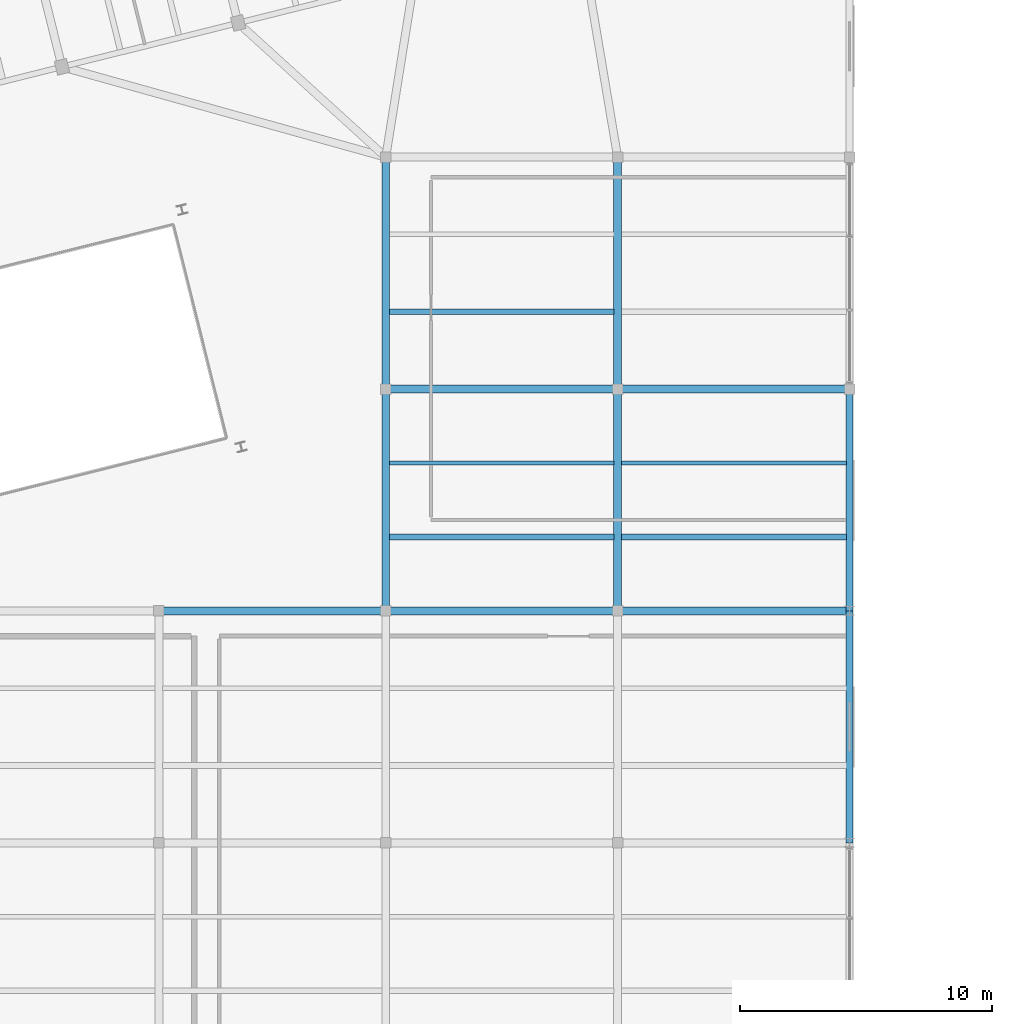
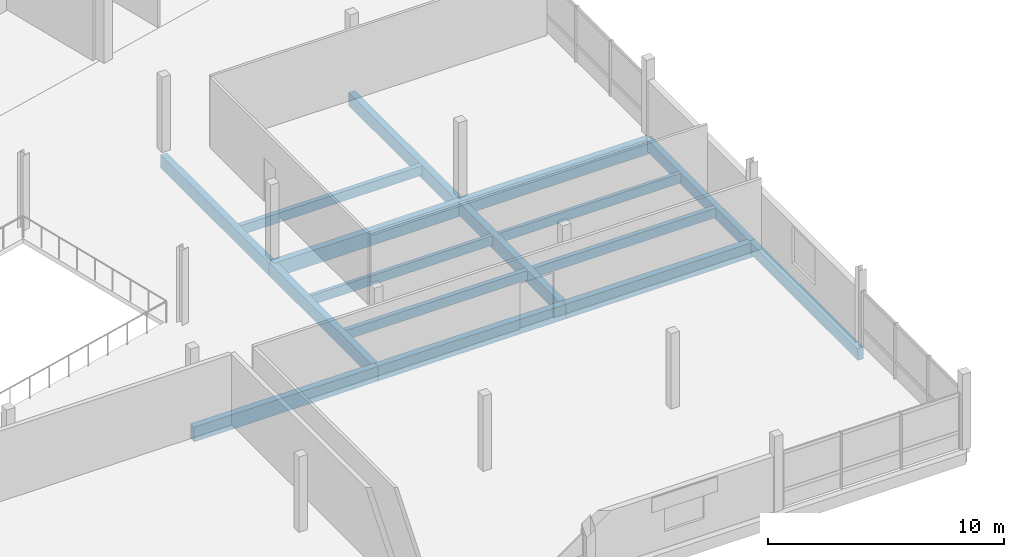
# One storey, part 14 of 47: 16 beams.
"""IFC4 building model written with IfcOpenShell, lengths in metres."""

from ifc_helpers import new_model, si_unit, direction, frame, origin, origin_2d, place, context, subcontext, project, spatial, rectangle, extrude, material, material_profile, profile_set, type_object, element, save


model = new_model("IFC4")

# Units and contexts
model_context = context("Model", 3, precision=1e-05, world=origin(), true_north=direction((0.0, 1.0)))
body_context = subcontext(model_context, "Body", "Model", "MODEL_VIEW")
ifc_project = project(units=[si_unit("LENGTHUNIT", "METRE"), si_unit("AREAUNIT", "SQUARE_METRE"), si_unit("VOLUMEUNIT", "CUBIC_METRE"), si_unit("PLANEANGLEUNIT", "RADIAN"), si_unit("MASSUNIT", "GRAM", prefix="KILO")], contexts=[model_context])

# Site, building, storey
site_placement = place(None, origin())
site = spatial("IfcSite", under=ifc_project, at=site_placement, CompositionType="ELEMENT")
building_placement = place(site_placement, origin())
building = spatial("IfcBuilding", under=site, at=building_placement, Name="Meriwether Solvik Hall", CompositionType="ELEMENT")
storey_placement = place(building_placement, frame((0.0, 0.0, 18.300048828125)))
storey = spatial("IfcBuildingStorey", under=building, at=storey_placement, Name="L04", CompositionType="ELEMENT", Elevation=18.300048828125)

# Beams
ifc_material_1 = material(Name="Glulam Douglas-Fir 24F-V8 GL28h", Category="wood")
ifc_material_profile_1 = material_profile(ifc_material_1, rectangle(XDim=0.27294921875, YDim=0.610107421875, at=origin_2d()), Name="GLB-273X610")
ifc_profile_set_1 = profile_set([ifc_material_profile_1], Name="Glulam Douglas-Fir 24F-V8 GL28h")
beam_type_1 = type_object("IfcBeamType", Name="BM-GL-273X610", PredefinedType="SPANDREL", material=ifc_profile_set_1)
beam_1_placement = place(storey_placement, frame((114.199951171875, 14.0, -0.550048828125), z_axis=(0.0, 1.0, 0.0), x_axis=(-1.0, 0.0, 0.0)))
element("IfcBeam", 1, at=beam_1_placement, inside=storey, type_object=beam_type_1, Name="Podium Girder 13:B-C (L04)", PredefinedType="SPANDREL", context=body_context, shape_type="SweptSolid", body=[
    extrude(rectangle(XDim=0.27294921875, YDim=0.610107421875, at=origin_2d()), origin(), (0.0, 0.0, 1.0), 9.199951171875),
])
beam_2_placement = place(storey_placement, frame((114.199951171875, 23.199951171875, -0.550048828125), z_axis=(0.0, 1.0, 0.0), x_axis=(-1.0, 0.0, 0.0)))
element("IfcBeam", 2, at=beam_2_placement, inside=storey, type_object=beam_type_1, Name="Podium Girder 13:C-D (L04)", PredefinedType="SPANDREL", context=body_context, shape_type="SweptSolid", body=[
    extrude(rectangle(XDim=0.27294921875, YDim=0.610107421875, at=origin_2d()), origin(), (0.0, 0.0, 1.0), 8.800048828125),
])
ifc_material_2 = material(Name="Glulam Douglas-Fir 24F-V8 GL28h", Category="wood")
ifc_material_profile_2 = material_profile(ifc_material_2, rectangle(XDim=0.31494140625, YDim=0.68505859375, at=origin_2d()), Name="GLB-315X685")
ifc_profile_set_2 = profile_set([ifc_material_profile_2], Name="Glulam Douglas-Fir 24F-V8 GL28h")
beam_type_2 = type_object("IfcBeamType", Name="BM-GL-315X685", PredefinedType="BEAM", material=ifc_profile_set_2)
beam_3_placement = place(storey_placement, frame((95.800048828125, 23.199951171875, -0.587646484375), z_axis=(0.0, 1.0, 0.0), x_axis=(-1.0, 0.0, 0.0)))
element("IfcBeam", 3, at=beam_3_placement, inside=storey, type_object=beam_type_2, Name="Podium Girder 11:C-D (L04)", PredefinedType="BEAM", context=body_context, shape_type="SweptSolid", body=[
    extrude(rectangle(XDim=0.31494140625, YDim=0.68505859375, at=origin_2d()), origin(), (0.0, 0.0, 1.0), 8.800048828125),
])
beam_4_placement = place(storey_placement, frame((95.800048828125, 32.0, -0.587646484375), z_axis=(0.0, 1.0, 0.0), x_axis=(-1.0, 0.0, 0.0)))
element("IfcBeam", 4, at=beam_4_placement, inside=storey, type_object=beam_type_2, Name="Podium Girder 11:D-E (L04)", PredefinedType="BEAM", context=body_context, shape_type="SweptSolid", body=[
    extrude(rectangle(XDim=0.31494140625, YDim=0.68505859375, at=origin_2d()), origin(), (0.0, 0.0, 1.0), 9.199951171875),
])
beam_5_placement = place(storey_placement, frame((105.0, 23.199951171875, -0.587646484375), z_axis=(0.0, 1.0, 0.0), x_axis=(-1.0, 0.0, 0.0)))
element("IfcBeam", 5, at=beam_5_placement, inside=storey, type_object=beam_type_2, Name="Podium Girder 12:C-D (L04)", PredefinedType="BEAM", context=body_context, shape_type="SweptSolid", body=[
    extrude(rectangle(XDim=0.31494140625, YDim=0.68505859375, at=origin_2d()), origin(), (0.0, 0.0, 1.0), 8.800048828125),
])
beam_6_placement = place(storey_placement, frame((105.0, 32.0, -0.587646484375), z_axis=(0.0, 1.0, 0.0), x_axis=(-1.0, 0.0, 0.0)))
element("IfcBeam", 6, at=beam_6_placement, inside=storey, type_object=beam_type_2, Name="Podium Girder 12:D-E (L04)", PredefinedType="BEAM", context=body_context, shape_type="SweptSolid", body=[
    extrude(rectangle(XDim=0.31494140625, YDim=0.68505859375, at=origin_2d()), origin(), (0.0, 0.0, 1.0), 9.199951171875),
])
ifc_material_3 = material(Name="Glulam Douglas-Fir 24F-V8 GL28h", Category="wood")
ifc_material_profile_3 = material_profile(ifc_material_3, rectangle(XDim=0.31494140625, YDim=0.760009765625, at=origin_2d()), Name="GLB-315X760")
ifc_profile_set_3 = profile_set([ifc_material_profile_3], Name="Glulam Douglas-Fir 24F-V8 GL28h")
beam_type_3 = type_object("IfcBeamType", Name="BM-GL-315X760", PredefinedType="BEAM", material=ifc_profile_set_3)
beam_7_placement = place(storey_placement, frame((86.800048828125, 23.199951171875, -0.625), z_axis=(1.0, 0.0, 0.0), x_axis=(0.0, 1.0, 0.0)))
element("IfcBeam", 7, at=beam_7_placement, inside=storey, type_object=beam_type_3, Name="Podium Girder C:10-11 (L04)", PredefinedType="BEAM", context=body_context, shape_type="SweptSolid", body=[
    extrude(rectangle(XDim=0.31494140625, YDim=0.760009765625, at=origin_2d()), origin(), (0.0, 0.0, 1.0), 9.0),
])
for number, where, z_axis, x_axis, name in (
    (8, (95.800048828125, 23.199951171875, -0.625), (1.0, 0.0, 0.0), (0.0, 1.0, 0.0), "Podium Girder C:11-12 (L04)"),
    (9, (105.0, 23.199951171875, -0.625), (1.0, 0.0, 0.0), (0.0, 1.0, 0.0), "Podium Girder C:12-13 (L04)"),
    (10, (95.800048828125, 32.0, -0.625), (1.0, 0.0, 0.0), (0.0, 1.0, 0.0), "Podium Girder D:11-12 (L04)"),
    (11, (105.0, 32.0, -0.625), (1.0, 0.0, 0.0), (0.0, 1.0, 0.0), "Podium Girder D:12-13 (L04)"),
):
    element("IfcBeam", number, at=place(storey_placement, frame(where, z_axis=z_axis, x_axis=x_axis)), inside=storey, type_object=beam_type_3, Name=name, PredefinedType="BEAM", context=body_context, shape_type="SweptSolid", body=[
        extrude(rectangle(XDim=0.31494140625, YDim=0.760009765625, at=origin_2d()), origin(), (0.0, 0.0, 1.0), 9.199951171875),
    ])
ifc_material_4 = material(Name="Glulam Douglas-Fir 24F-V8 GL28h", Category="wood")
ifc_material_profile_4 = material_profile(ifc_material_4, rectangle(XDim=0.175048828125, YDim=0.4951171875, at=origin_2d()), Name="GLJ-175X495")
ifc_profile_set_4 = profile_set([ifc_material_profile_4], Name="Glulam Douglas-Fir 24F-V8 GL28h")
beam_type_4 = type_object("IfcBeamType", Name="JST-GL-175X495", PredefinedType="JOIST", material=ifc_profile_set_4)
beam_8_placement = place(storey_placement, frame((95.952392578125, 29.066650390625, -0.492431640625), z_axis=(1.0, 0.0, 0.0), x_axis=(0.0, 1.0, 0.0)))
element("IfcBeam", 12, at=beam_8_placement, inside=storey, type_object=beam_type_4, Name="Secondary Floor Joist 11/C_J2 (L04)", PredefinedType="JOIST", context=body_context, shape_type="SweptSolid", body=[
    extrude(rectangle(XDim=0.175048828125, YDim=0.4951171875, at=origin_2d()), origin(), (0.0, 0.0, 1.0), 8.89501953125),
])
beam_9_placement = place(storey_placement, frame((105.152587890625, 29.066650390625, -0.492431640625), z_axis=(1.0, 0.0, 0.0), x_axis=(0.0, 1.0, 0.0)))
element("IfcBeam", 13, at=beam_9_placement, inside=storey, type_object=beam_type_4, Name="Secondary Floor Joist 12/C_J2 (L04)", PredefinedType="JOIST", context=body_context, shape_type="SweptSolid", body=[
    extrude(rectangle(XDim=0.175048828125, YDim=0.4951171875, at=origin_2d()), origin(), (0.0, 0.0, 1.0), 8.916015625),
])
ifc_material_5 = material(Name="Glulam Douglas-Fir 24F-V8 GL28h", Category="wood")
ifc_material_profile_5 = material_profile(ifc_material_5, rectangle(XDim=0.221923828125, YDim=0.4951171875, at=origin_2d()), Name="GLJ-222X495")
ifc_profile_set_5 = profile_set([ifc_material_profile_5], Name="Glulam Douglas-Fir 24F-V8 GL28h")
beam_type_5 = type_object("IfcBeamType", Name="JST-GL-222X495", PredefinedType="JOIST", material=ifc_profile_set_5)
for number, where, z_axis, x_axis, name in (
    (14, (95.952392578125, 26.13330078125, -0.492431640625), (1.0, 0.0, 0.0), (0.0, 1.0, 0.0), "Secondary Floor Joist 11/C_J1 (L04)"),
    (15, (95.952392578125, 35.066650390625, -0.492431640625), (1.0, 0.0, 0.0), (0.0, 1.0, 0.0), "Secondary Floor Joist 11/D_J1 (L04)"),
):
    element("IfcBeam", number, at=place(storey_placement, frame(where, z_axis=z_axis, x_axis=x_axis)), inside=storey, type_object=beam_type_5, Name=name, PredefinedType="JOIST", context=body_context, shape_type="SweptSolid", body=[
        extrude(rectangle(XDim=0.221923828125, YDim=0.4951171875, at=origin_2d()), origin(), (0.0, 0.0, 1.0), 8.89501953125),
    ])
beam_10_placement = place(storey_placement, frame((105.152587890625, 26.13330078125, -0.492431640625), z_axis=(1.0, 0.0, 0.0), x_axis=(0.0, 1.0, 0.0)))
element("IfcBeam", 16, at=beam_10_placement, inside=storey, type_object=beam_type_5, Name="Secondary Floor Joist 12/C_J1 (L04)", PredefinedType="JOIST", context=body_context, shape_type="SweptSolid", body=[
    extrude(rectangle(XDim=0.221923828125, YDim=0.4951171875, at=origin_2d()), origin(), (0.0, 0.0, 1.0), 8.916015625),
])

save(model, "model.ifc")
